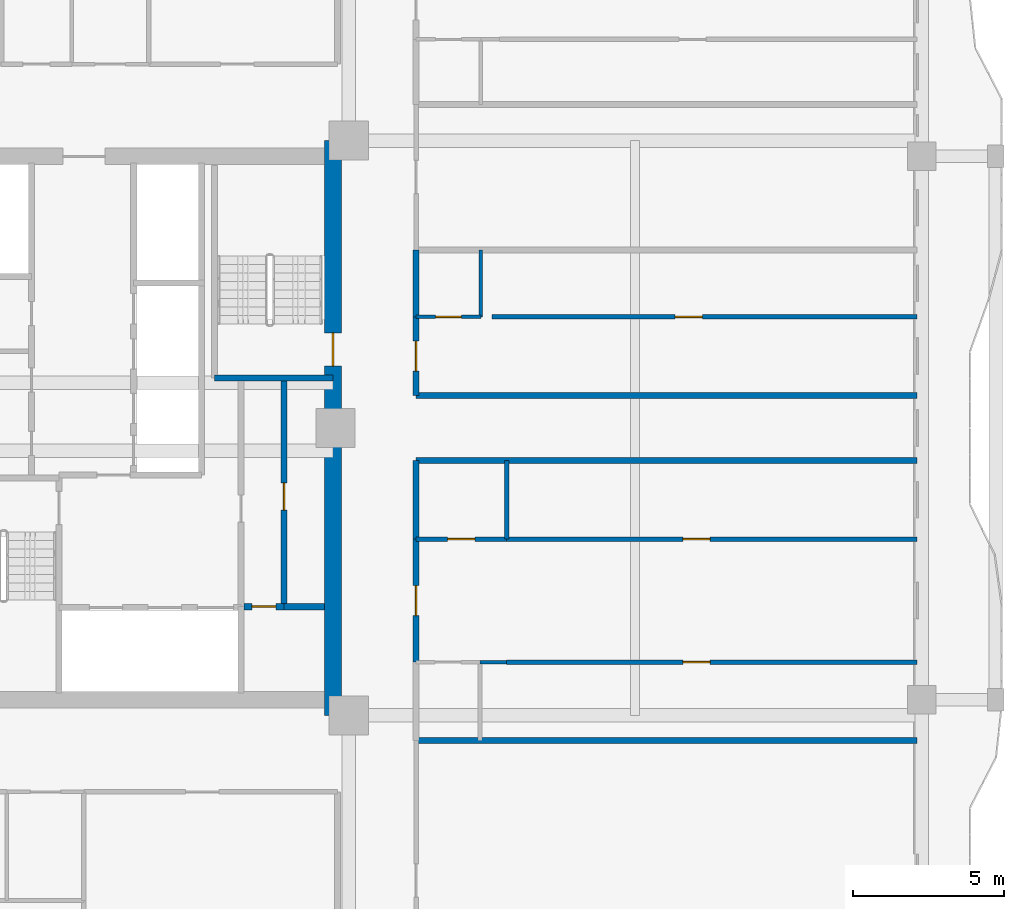
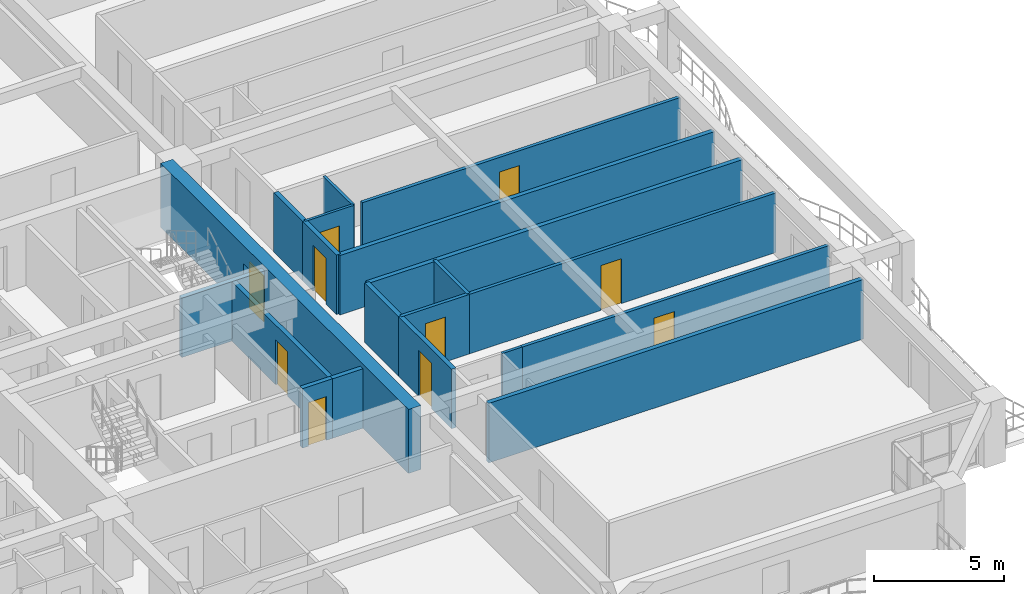
# One storey, part 16 of 24: 20 walls, 10 doors, 10 openings.
"""IFC4 building model written with IfcOpenShell, lengths in metres."""

from ifc_helpers import new_model, si_unit, direction, frame, frame_2d, origin, place, context, subcontext, project, spatial, rectangle, extrude, source, transform, mapped, material, layer, layer_set, type_object, element, fill, save


model = new_model("IFC4")

# Units and contexts
model_context = context("Model", 3, precision=1e-05, world=origin(), true_north=direction((0.0, 1.0)))
body_context = subcontext(model_context, "Body", "Model", "MODEL_VIEW")
ifc_project = project(units=[si_unit("LENGTHUNIT", "METRE"), si_unit("AREAUNIT", "SQUARE_METRE"), si_unit("VOLUMEUNIT", "CUBIC_METRE"), si_unit("PLANEANGLEUNIT", "RADIAN"), si_unit("MASSUNIT", "GRAM", prefix="KILO")], contexts=[model_context])

# Site, building, storey
site_placement = place(None, origin())
site = spatial("IfcSite", under=ifc_project, at=site_placement, CompositionType="ELEMENT")
building_placement = place(site_placement, origin())
building = spatial("IfcBuilding", under=site, at=building_placement, Name="Saelheon Loggia Tower", CompositionType="ELEMENT")
storey_placement = place(building_placement, frame((0.0, 0.0, 126.75)))
storey = spatial("IfcBuildingStorey", under=building, at=storey_placement, Name="L40", CompositionType="ELEMENT", Elevation=126.75)

# Wall, opening, door
ifc_material_1 = material(Name="Concrete C50/60", Category="concrete")
ifc_layer_1 = layer(ifc_material_1, 0.550048828125)
ifc_layer_set_1 = layer_set([ifc_layer_1], Name="Concrete C50/60")
wall_type_1 = type_object("IfcWallType", Name="Wall_CoreShear_550", PredefinedType="SHEAR", material=ifc_layer_set_1)
wall_1_placement = place(storey_placement, frame((44.5, 17.47998046875, 0.0), z_axis=(0.0, 0.0, 1.0), x_axis=(0.0, 1.0, 0.0)))
wall_1 = element("IfcWall", 1, at=wall_1_placement, inside=storey, type_object=wall_type_1, Name="L40 Core Shear Wall East", PredefinedType="SHEAR", context=body_context, shape_type="SweptSolid", body=[
    extrude(rectangle(XDim=19.0400390625, YDim=0.550048828125, at=frame_2d((9.52001953125, 0.0))), origin(), (0.0, 0.0, 1.0), 3.0),
])
opening_1_placement = place(wall_1_placement, frame((12.670166015625, 0.0, 0.0), z_axis=(0.0, 0.0, 1.0), x_axis=(-1.0, 0.0, 0.0)))
opening_1 = element("IfcOpeningElement", 2, at=opening_1_placement, cuts=wall_1, Name="Opening D-FD2", PredefinedType="OPENING", context=body_context, shape_type="SweptSolid", body=[
    extrude(rectangle(XDim=1.10009765625, YDim=2.14990234375, at=frame_2d((0.550048828125, 1.074951171875))), frame((0.0, 0.287109375, 0.0), z_axis=(0.0, -1.0, 0.0), x_axis=(1.0, 0.0, 0.0)), (0.0, 0.0, 1.0), 0.573974609375),
])
ifc_material_2 = material(Name="Galvanised Steel Fire Door", Category="steel")
door_type_1 = type_object("IfcDoorType", Name="Door_Fire_FD60_1100", OperationType="NOTDEFINED", PredefinedType="DOOR", material=ifc_material_2)
shared_shape_1 = source(origin(), body_context, "Body", "SweptSolid", [
    extrude(rectangle(XDim=1.10009765625, YDim=2.14990234375, at=frame_2d((0.550048828125, 1.074951171875))), frame((0.0, 0.02490234375, 0.0), z_axis=(0.0, -1.0, 0.0), x_axis=(1.0, 0.0, 0.0)), (0.0, 0.0, 1.0), 0.050048828125),
])
door_1_placement = place(opening_1_placement, origin())
door_1 = element("IfcDoor", 3, at=door_1_placement, inside=storey, type_object=door_type_1, Name="L40 Stair ST2 Corridor Door", OperationType="SINGLE_SWING_RIGHT", OverallHeight=2.14990234375, OverallWidth=1.10009765625, PredefinedType="DOOR", context=body_context, shape_type="MappedRepresentation", body=[
    mapped(shared_shape_1, transform((0.0, 0.0, 0.0), scale=1.0)),
])
fill(opening_1, door_1)

# Wall
ifc_material_3 = material(Name="Lightweight Autoclaved Aerated Concrete Block and Acoustic Gypsum", Category="concrete")
ifc_layer_2 = layer(ifc_material_3, 0.14990234375)
ifc_layer_set_2 = layer_set([ifc_layer_2], Name="Lightweight Autoclaved Aerated Concrete Block and Acoustic Gypsum")
wall_type_2 = type_object("IfcWallType", Name="Wall_Part_150", PredefinedType="PARTITIONING", material=ifc_layer_set_2)
wall_2_placement = place(storey_placement, frame((50.25, 23.320068359375, 0.0), z_axis=(0.0, 0.0, 1.0), x_axis=(0.0, 1.0, 0.0)))
element("IfcWall", 4, at=wall_2_placement, inside=storey, type_object=wall_type_2, Name="L40 ES Partition V09", PredefinedType="PARTITIONING", context=body_context, shape_type="SweptSolid", body=[
    extrude(rectangle(XDim=2.599853515625, YDim=0.14990234375, at=frame_2d((1.2998046875, 0.0))), origin(), (0.0, 0.0, 1.0), 2.7900390625),
])

# Wall, opening, door
wall_3_placement = place(storey_placement, frame((50.25, 19.24560546875, 0.0), z_axis=(0.0, 0.0, 1.0), x_axis=(1.0, 0.0, 0.0)))
wall_3 = element("IfcWall", 5, at=wall_3_placement, inside=storey, type_object=wall_type_2, Name="L40 ES Partition U12", PredefinedType="PARTITIONING", context=body_context, shape_type="SweptSolid", body=[
    extrude(rectangle(XDim=13.60009765625, YDim=0.14990234375, at=frame_2d((6.800048828125, 0.0))), origin(), (0.0, 0.0, 1.0), 2.7900390625),
])
opening_2_placement = place(wall_3_placement, frame((5.8408203125, 0.0, 0.0)))
opening_2 = element("IfcOpeningElement", 6, at=opening_2_placement, cuts=wall_3, Name="Opening D-IN2", PredefinedType="OPENING", context=body_context, shape_type="SweptSolid", body=[
    extrude(rectangle(XDim=0.89990234375, YDim=2.10009765625, at=frame_2d((0.449951171875, 1.050048828125))), frame((0.0, 0.0869140625, 0.0), z_axis=(0.0, -1.0, 0.0), x_axis=(1.0, 0.0, 0.0)), (0.0, 0.0, 1.0), 0.173828125),
])
ifc_material_4 = material(Name="Engineered Oak Flush Door", Category="timber")
door_type_2 = type_object("IfcDoorType", Name="Door_Int_900", OperationType="NOTDEFINED", PredefinedType="DOOR", material=ifc_material_4)
shared_shape_2 = source(origin(), body_context, "Body", "SweptSolid", [
    extrude(rectangle(XDim=0.89990234375, YDim=2.10009765625, at=frame_2d((0.449951171875, 1.050048828125))), frame((0.0, 0.02490234375, 0.0), z_axis=(0.0, -1.0, 0.0), x_axis=(1.0, 0.0, 0.0)), (0.0, 0.0, 1.0), 0.050048828125),
])
door_2_placement = place(opening_2_placement, origin())
door_2 = element("IfcDoor", 7, at=door_2_placement, inside=storey, type_object=door_type_2, Name="Unit U07 Kitchen Door", OperationType="SINGLE_SWING_RIGHT", OverallHeight=2.10009765625, OverallWidth=0.89990234375, PredefinedType="DOOR", context=body_context, shape_type="MappedRepresentation", body=[
    mapped(shared_shape_2, transform((0.0, 0.0, 0.0), scale=1.0)),
])
fill(opening_2, door_2)

wall_4_placement = place(storey_placement, frame((47.25, 23.320068359375, 0.0), z_axis=(0.0, 0.0, 1.0), x_axis=(1.0, 0.0, 0.0)))
wall_4 = element("IfcWall", 8, at=wall_4_placement, inside=storey, type_object=wall_type_2, Name="L40 ES Partition U13", PredefinedType="PARTITIONING", context=body_context, shape_type="SweptSolid", body=[
    extrude(rectangle(XDim=3.0, YDim=0.14990234375, at=frame_2d((1.5, 0.0))), origin(), (0.0, 0.0, 1.0), 2.7900390625),
])
opening_3_placement = place(wall_4_placement, frame((1.050048828125, 0.0, 0.0)))
opening_3 = element("IfcOpeningElement", 9, at=opening_3_placement, cuts=wall_4, Name="Opening D-IN2", PredefinedType="OPENING", context=body_context, shape_type="SweptSolid", body=[
    extrude(rectangle(XDim=0.89990234375, YDim=2.10009765625, at=frame_2d((0.449951171875, 1.050048828125))), frame((0.0, 0.0869140625, 0.0), z_axis=(0.0, -1.0, 0.0), x_axis=(1.0, 0.0, 0.0)), (0.0, 0.0, 1.0), 0.173828125),
])
door_3_placement = place(opening_3_placement, origin())
door_3 = element("IfcDoor", 10, at=door_3_placement, inside=storey, type_object=door_type_2, Name="Unit U07 Dressing Closet Door", OperationType="SINGLE_SWING_LEFT", OverallHeight=2.10009765625, OverallWidth=0.89990234375, PredefinedType="DOOR", context=body_context, shape_type="MappedRepresentation", body=[
    mapped(shared_shape_2, transform((0.0, 0.0, 0.0), scale=1.0)),
])
fill(opening_3, door_3)

wall_5_placement = place(storey_placement, frame((50.25, 23.320068359375, 0.0), z_axis=(0.0, 0.0, 1.0), x_axis=(1.0, 0.0, 0.0)))
wall_5 = element("IfcWall", 11, at=wall_5_placement, inside=storey, type_object=wall_type_2, Name="L40 ES Partition U14", PredefinedType="PARTITIONING", context=body_context, shape_type="SweptSolid", body=[
    extrude(rectangle(XDim=13.60009765625, YDim=0.14990234375, at=frame_2d((6.800048828125, 0.0))), origin(), (0.0, 0.0, 1.0), 2.7900390625),
])
opening_4_placement = place(wall_5_placement, frame((5.8408203125, 0.0, 0.0)))
opening_4 = element("IfcOpeningElement", 12, at=opening_4_placement, cuts=wall_5, Name="Opening D-IN2", PredefinedType="OPENING", context=body_context, shape_type="SweptSolid", body=[
    extrude(rectangle(XDim=0.89990234375, YDim=2.10009765625, at=frame_2d((0.449951171875, 1.050048828125))), frame((0.0, 0.0869140625, 0.0), z_axis=(0.0, -1.0, 0.0), x_axis=(1.0, 0.0, 0.0)), (0.0, 0.0, 1.0), 0.173828125),
])
door_4_placement = place(opening_4_placement, origin())
door_4 = element("IfcDoor", 13, at=door_4_placement, inside=storey, type_object=door_type_2, Name="Unit U07 Bedroom 1 Door", OperationType="SINGLE_SWING_RIGHT", OverallHeight=2.10009765625, OverallWidth=0.89990234375, PredefinedType="DOOR", context=body_context, shape_type="MappedRepresentation", body=[
    mapped(shared_shape_2, transform((0.0, 0.0, 0.0), scale=1.0)),
])
fill(opening_4, door_4)

wall_6_placement = place(storey_placement, frame((49.77001953125, 30.68310546875, 0.0), z_axis=(0.0, 0.0, 1.0), x_axis=(1.0, 0.0, 0.0)))
wall_6 = element("IfcWall", 14, at=wall_6_placement, inside=storey, type_object=wall_type_2, Name="L40 EN Partition U07", PredefinedType="PARTITIONING", context=body_context, shape_type="SweptSolid", body=[
    extrude(rectangle(XDim=14.080078125, YDim=0.14990234375, at=frame_2d((7.0400390625, 0.0))), origin(), (0.0, 0.0, 1.0), 2.7900390625),
])
opening_5_placement = place(wall_6_placement, frame((6.060791015625, 0.0, 0.0)))
opening_5 = element("IfcOpeningElement", 15, at=opening_5_placement, cuts=wall_6, Name="Opening D-IN2", PredefinedType="OPENING", context=body_context, shape_type="SweptSolid", body=[
    extrude(rectangle(XDim=0.89990234375, YDim=2.10009765625, at=frame_2d((0.449951171875, 1.050048828125))), frame((0.0, 0.0869140625, 0.0), z_axis=(0.0, -1.0, 0.0), x_axis=(1.0, 0.0, 0.0)), (0.0, 0.0, 1.0), 0.173828125),
])
door_5_placement = place(opening_5_placement, origin())
door_5 = element("IfcDoor", 16, at=door_5_placement, inside=storey, type_object=door_type_2, Name="Unit U08 Kitchen Door", OperationType="SINGLE_SWING_LEFT", OverallHeight=2.10009765625, OverallWidth=0.89990234375, PredefinedType="DOOR", context=body_context, shape_type="MappedRepresentation", body=[
    mapped(shared_shape_2, transform((0.0, 0.0, 0.0), scale=1.0)),
])
fill(opening_5, door_5)

# Walls
ifc_material_5 = material(Name="Double Acoustic Stud and Fireboard Partition", Category="gypsum")
ifc_layer_3 = layer(ifc_material_5, 0.199951171875)
ifc_layer_set_3 = layer_set([ifc_layer_3], Name="Double Acoustic Stud and Fireboard Partition")
wall_type_3 = type_object("IfcWallType", Name="Wall_Party_200", PredefinedType="PARTITIONING", material=ifc_layer_set_3)
for number, where, z_axis, x_axis, name in (
    (17, (47.25, 25.919921875, 0.0), (0.0, 0.0, 1.0), (1.0, 0.0, 0.0), "L40 ES Partition U02"),
    (18, (47.25, 16.64990234375, 0.0), (0.0, 0.0, 1.0), (1.0, 0.0, 0.0), "L40 ES Partition U04"),
):
    element("IfcWall", number, at=place(storey_placement, frame(where, z_axis=z_axis, x_axis=x_axis)), inside=storey, type_object=wall_type_3, Name=name, PredefinedType="PARTITIONING", context=body_context, shape_type="SweptSolid", body=[
        extrude(rectangle(XDim=16.60009765625, YDim=0.199951171875, at=frame_2d((8.300048828125, 0.0))), origin(), (0.0, 0.0, 1.0), 2.7900390625),
    ])

# Wall, opening, door
wall_7_placement = place(storey_placement, frame((47.25, 19.24560546875, 0.0), z_axis=(0.0, 0.0, 1.0), x_axis=(0.0, 1.0, 0.0)))
wall_7 = element("IfcWall", 19, at=wall_7_placement, inside=storey, type_object=wall_type_3, Name="L40 ES Partition V06", PredefinedType="PARTITIONING", context=body_context, shape_type="SweptSolid", body=[
    extrude(rectangle(XDim=4.074462890625, YDim=0.199951171875, at=frame_2d((2.037109375, 0.0))), origin(), (0.0, 0.0, 1.0), 2.7900390625),
])
opening_6_placement = place(wall_7_placement, frame((1.537109375, 0.0, 0.0)))
opening_6 = element("IfcOpeningElement", 20, at=opening_6_placement, cuts=wall_7, Name="Opening D-FD1", PredefinedType="OPENING", context=body_context, shape_type="SweptSolid", body=[
    extrude(rectangle(XDim=1.0, YDim=2.14990234375, at=frame_2d((0.5, 1.074951171875))), frame((0.0, 0.112060546875, 0.0), z_axis=(0.0, -1.0, 0.0), x_axis=(1.0, 0.0, 0.0)), (0.0, 0.0, 1.0), 0.223876953125),
])
ifc_material_6 = material(Name="Fire-Rated Engineered Timber Entrance Door", Category="wood")
door_type_3 = type_object("IfcDoorType", Name="Door_Flat_FD30S", OperationType="NOTDEFINED", PredefinedType="DOOR", material=ifc_material_6)
shared_shape_3 = source(origin(), body_context, "Body", "SweptSolid", [
    extrude(rectangle(XDim=1.0, YDim=2.14990234375, at=frame_2d((0.5, 1.074951171875))), frame((0.0, 0.02490234375, 0.0), z_axis=(0.0, -1.0, 0.0), x_axis=(1.0, 0.0, 0.0)), (0.0, 0.0, 1.0), 0.050048828125),
])
door_6_placement = place(opening_6_placement, origin())
door_6 = element("IfcDoor", 21, at=door_6_placement, inside=storey, type_object=door_type_3, Name="Unit U07 Entrance Door", OperationType="SINGLE_SWING_RIGHT", OverallHeight=2.14990234375, OverallWidth=1.0, PredefinedType="DOOR", context=body_context, shape_type="MappedRepresentation", body=[
    mapped(shared_shape_3, transform((0.0, 0.0, 0.0), scale=1.0)),
])
fill(opening_6, door_6)

# Walls
wall_8_placement = place(storey_placement, frame((47.25, 23.320068359375, 0.0), z_axis=(0.0, 0.0, 1.0), x_axis=(0.0, 1.0, 0.0)))
element("IfcWall", 22, at=wall_8_placement, inside=storey, type_object=wall_type_3, Name="L40 ES Partition V07", PredefinedType="PARTITIONING", context=body_context, shape_type="SweptSolid", body=[
    extrude(rectangle(XDim=2.599853515625, YDim=0.199951171875, at=frame_2d((1.2998046875, 0.0))), origin(), (0.0, 0.0, 1.0), 2.7900390625),
])
wall_9_placement = place(storey_placement, frame((47.25, 28.080078125, 0.0), z_axis=(0.0, 0.0, 1.0), x_axis=(1.0, 0.0, 0.0)))
element("IfcWall", 23, at=wall_9_placement, inside=storey, type_object=wall_type_3, Name="L40 EN Partition U01", PredefinedType="PARTITIONING", context=body_context, shape_type="SweptSolid", body=[
    extrude(rectangle(XDim=16.60009765625, YDim=0.199951171875, at=frame_2d((8.300048828125, 0.0))), origin(), (0.0, 0.0, 1.0), 2.7900390625),
])

# Wall, opening, door
wall_10_placement = place(storey_placement, frame((47.25, 28.080078125, 0.0), z_axis=(0.0, 0.0, 1.0), x_axis=(0.0, 1.0, 0.0)))
wall_10 = element("IfcWall", 24, at=wall_10_placement, inside=storey, type_object=wall_type_3, Name="L40 EN Partition V03", PredefinedType="PARTITIONING", context=body_context, shape_type="SweptSolid", body=[
    extrude(rectangle(XDim=2.60302734375, YDim=0.199951171875, at=frame_2d((1.301513671875, 0.0))), origin(), (0.0, 0.0, 1.0), 2.7900390625),
])
opening_7_placement = place(wall_10_placement, frame((0.801513671875, 0.0, 0.0)))
opening_7 = element("IfcOpeningElement", 25, at=opening_7_placement, cuts=wall_10, Name="Opening D-FD1", PredefinedType="OPENING", context=body_context, shape_type="SweptSolid", body=[
    extrude(rectangle(XDim=1.0, YDim=2.14990234375, at=frame_2d((0.5, 1.074951171875))), frame((0.0, 0.112060546875, 0.0), z_axis=(0.0, -1.0, 0.0), x_axis=(1.0, 0.0, 0.0)), (0.0, 0.0, 1.0), 0.223876953125),
])
door_7_placement = place(opening_7_placement, origin())
door_7 = element("IfcDoor", 26, at=door_7_placement, inside=storey, type_object=door_type_3, Name="Unit U08 Entrance Door", OperationType="SINGLE_SWING_LEFT", OverallHeight=2.14990234375, OverallWidth=1.0, PredefinedType="DOOR", context=body_context, shape_type="MappedRepresentation", body=[
    mapped(shared_shape_3, transform((0.0, 0.0, 0.0), scale=1.0)),
])
fill(opening_7, door_7)

# Wall
wall_11_placement = place(storey_placement, frame((47.25, 30.68310546875, 0.0), z_axis=(0.0, 0.0, 1.0), x_axis=(0.0, 1.0, 0.0)))
element("IfcWall", 27, at=wall_11_placement, inside=storey, type_object=wall_type_3, Name="L40 EN Partition V04", PredefinedType="PARTITIONING", context=body_context, shape_type="SweptSolid", body=[
    extrude(rectangle(XDim=2.21728515625, YDim=0.199951171875, at=frame_2d((1.108642578125, 0.0))), origin(), (0.0, 0.0, 1.0), 2.7900390625),
])

# Wall, opening, door
ifc_material_7 = material(Name="Concrete C40/50", Category="concrete")
ifc_layer_4 = layer(ifc_material_7, 0.199951171875)
ifc_layer_set_4 = layer_set([ifc_layer_4], Name="Concrete C40/50")
wall_type_4 = type_object("IfcWallType", Name="Wall_Shaft_200", PredefinedType="PARTITIONING", material=ifc_layer_set_4)
wall_12_placement = place(storey_placement, frame((41.550048828125, 21.080078125, 0.0), z_axis=(0.0, 0.0, 1.0), x_axis=(1.0, 0.0, 0.0)))
wall_12 = element("IfcWall", 28, at=wall_12_placement, inside=storey, type_object=wall_type_4, Name="CW-BOH-L40-HS", PredefinedType="PARTITIONING", context=body_context, shape_type="SweptSolid", body=[
    extrude(rectangle(XDim=1.329833984375, YDim=0.199951171875, at=frame_2d((0.6650390625, 0.0))), origin(), (0.0, 0.0, 1.0), 2.7900390625),
])
opening_8_placement = place(wall_12_placement, frame((0.260009765625, 0.0, 0.0)))
opening_8 = element("IfcOpeningElement", 29, at=opening_8_placement, cuts=wall_12, Name="Opening D-ST1", PredefinedType="OPENING", context=body_context, shape_type="SweptSolid", body=[
    extrude(rectangle(XDim=0.800048828125, YDim=2.050048828125, at=frame_2d((0.39990234375, 1.02490234375))), frame((0.0, 0.112060546875, 0.0), z_axis=(0.0, -1.0, 0.0), x_axis=(1.0, 0.0, 0.0)), (0.0, 0.0, 1.0), 0.223876953125),
])
ifc_material_8 = material(Name="Powder-Coated Steel Store Door", Category="steel")
door_type_4 = type_object("IfcDoorType", Name="Door_Store_800", OperationType="NOTDEFINED", PredefinedType="DOOR", material=ifc_material_8)
shared_shape_4 = source(origin(), body_context, "Body", "SweptSolid", [
    extrude(rectangle(XDim=0.800048828125, YDim=2.050048828125, at=frame_2d((0.39990234375, 1.02490234375))), frame((0.0, 0.02490234375, 0.0), z_axis=(0.0, -1.0, 0.0), x_axis=(1.0, 0.0, 0.0)), (0.0, 0.0, 1.0), 0.050048828125),
])
door_8_placement = place(opening_8_placement, origin())
door_8 = element("IfcDoor", 30, at=door_8_placement, inside=storey, type_object=door_type_4, Name="L40 Electrical Riser Door", OperationType="SINGLE_SWING_RIGHT", OverallHeight=2.050048828125, OverallWidth=0.800048828125, PredefinedType="DOOR", context=body_context, shape_type="MappedRepresentation", body=[
    mapped(shared_shape_4, transform((0.0, 0.0, 0.0), scale=1.0)),
])
fill(opening_8, door_8)

# Wall
wall_13_placement = place(storey_placement, frame((42.8798828125, 21.080078125, 0.0), z_axis=(0.0, 0.0, 1.0), x_axis=(1.0, 0.0, 0.0)))
element("IfcWall", 31, at=wall_13_placement, inside=storey, type_object=wall_type_4, Name="CW-BOH-L40-HS2", PredefinedType="PARTITIONING", context=body_context, shape_type="SweptSolid", body=[
    extrude(rectangle(XDim=1.340087890625, YDim=0.199951171875, at=frame_2d((0.669921875, 0.0))), origin(), (0.0, 0.0, 1.0), 2.7900390625),
])

# Wall, opening, door
wall_14_placement = place(storey_placement, frame((42.8798828125, 21.080078125, 0.0), z_axis=(0.0, 0.0, 1.0), x_axis=(0.0, 1.0, 0.0)))
wall_14 = element("IfcWall", 32, at=wall_14_placement, inside=storey, type_object=wall_type_4, Name="CW-BOH-L40-VS", PredefinedType="PARTITIONING", context=body_context, shape_type="SweptSolid", body=[
    extrude(rectangle(XDim=7.469970703125, YDim=0.199951171875, at=frame_2d((3.73486328125, 0.0))), origin(), (0.0, 0.0, 1.0), 2.7900390625),
])
opening_9_placement = place(wall_14_placement, frame((3.199951171875, 0.0, 0.0)))
opening_9 = element("IfcOpeningElement", 33, at=opening_9_placement, cuts=wall_14, Name="Opening D-RS1", PredefinedType="OPENING", context=body_context, shape_type="SweptSolid", body=[
    extrude(rectangle(XDim=0.89990234375, YDim=2.10009765625, at=frame_2d((0.449951171875, 1.050048828125))), frame((0.0, 0.112060546875, 0.0), z_axis=(0.0, -1.0, 0.0), x_axis=(1.0, 0.0, 0.0)), (0.0, 0.0, 1.0), 0.223876953125),
])
ifc_material_9 = material(Name="Galvanised Steel Riser Access Door", Category="steel")
door_type_5 = type_object("IfcDoorType", Name="Door_Riser_FD60", OperationType="NOTDEFINED", PredefinedType="DOOR", material=ifc_material_9)
door_9_placement = place(opening_9_placement, origin())
door_9 = element("IfcDoor", 34, at=door_9_placement, inside=storey, type_object=door_type_5, Name="L40 Linen Store Door", OperationType="SINGLE_SWING_LEFT", OverallHeight=2.10009765625, OverallWidth=0.89990234375, PredefinedType="DOOR", context=body_context, shape_type="MappedRepresentation", body=[
    mapped(shared_shape_2, transform((0.0, 0.0, 0.0), scale=1.0)),
])
fill(opening_9, door_9)

# Walls
ifc_material_10 = material(Name="Concrete C45/55", Category="concrete")
ifc_layer_5 = layer(ifc_material_10, 0.199951171875)
ifc_layer_set_5 = layer_set([ifc_layer_5], Name="Concrete C45/55")
wall_type_5 = type_object("IfcWallType", Name="Wall_StairShaft_RC200", PredefinedType="SOLIDWALL", material=ifc_layer_set_5)
wall_15_placement = place(storey_placement, frame((40.570068359375, 28.64990234375, 0.0), z_axis=(0.0, 0.0, 1.0), x_axis=(1.0, 0.0, 0.0)))
element("IfcWall", 35, at=wall_15_placement, inside=storey, type_object=wall_type_5, Name="L40 Stair ST2 South Wall", PredefinedType="SOLIDWALL", context=body_context, shape_type="SweptSolid", body=[
    extrude(rectangle(XDim=3.929931640625, YDim=0.199951171875, at=frame_2d((1.96484375, 0.0))), origin(), (0.0, 0.0, 1.0), 2.7900390625),
])
ifc_material_11 = material(Name="Moisture-Resistant Cement Board Partition", Category="gypsum")
ifc_layer_6 = layer(ifc_material_11, 0.1201171875)
ifc_layer_set_6 = layer_set([ifc_layer_6], Name="Moisture-Resistant Cement Board Partition")
wall_type_6 = type_object("IfcWallType", Name="Wall_WetPart_120", PredefinedType="PARTITIONING", material=ifc_layer_set_6)
wall_16_placement = place(storey_placement, frame((49.3701171875, 19.24560546875, 0.0), z_axis=(0.0, 0.0, 1.0), x_axis=(1.0, 0.0, 0.0)))
element("IfcWall", 36, at=wall_16_placement, inside=storey, type_object=wall_type_6, Name="L40 ES Partition U11", PredefinedType="PARTITIONING", context=body_context, shape_type="SweptSolid", body=[
    extrude(rectangle(XDim=0.8798828125, YDim=0.1201171875, at=frame_2d((0.43994140625, 0.0))), origin(), (0.0, 0.0, 1.0), 2.7900390625),
])

# Wall, opening, door
wall_17_placement = place(storey_placement, frame((47.25, 30.68310546875, 0.0), z_axis=(0.0, 0.0, 1.0), x_axis=(1.0, 0.0, 0.0)))
wall_17 = element("IfcWall", 37, at=wall_17_placement, inside=storey, type_object=wall_type_6, Name="L40 EN Partition U05", PredefinedType="PARTITIONING", context=body_context, shape_type="SweptSolid", body=[
    extrude(rectangle(XDim=2.14990234375, YDim=0.1201171875, at=frame_2d((1.074951171875, 0.0))), origin(), (0.0, 0.0, 1.0), 2.7900390625),
])
opening_10_placement = place(wall_17_placement, frame((0.64990234375, 0.0, 0.0)))
opening_10 = element("IfcOpeningElement", 38, at=opening_10_placement, cuts=wall_17, Name="Opening D-BT1", PredefinedType="OPENING", context=body_context, shape_type="SweptSolid", body=[
    extrude(rectangle(XDim=0.85009765625, YDim=2.050048828125, at=frame_2d((0.425048828125, 1.02490234375))), frame((0.0, 0.072021484375, 0.0), z_axis=(0.0, -1.0, 0.0), x_axis=(1.0, 0.0, 0.0)), (0.0, 0.0, 1.0), 0.14404296875),
])
ifc_material_12 = material(Name="Moisture-Resistant Laminate Timber Door", Category="wood")
door_type_6 = type_object("IfcDoorType", Name="Door_Bath_850", OperationType="NOTDEFINED", PredefinedType="DOOR", material=ifc_material_12)
shared_shape_5 = source(origin(), body_context, "Body", "SweptSolid", [
    extrude(rectangle(XDim=0.85009765625, YDim=2.050048828125, at=frame_2d((0.425048828125, 1.02490234375))), frame((0.0, 0.02490234375, 0.0), z_axis=(0.0, -1.0, 0.0), x_axis=(1.0, 0.0, 0.0)), (0.0, 0.0, 1.0), 0.050048828125),
])
door_10_placement = place(opening_10_placement, origin())
door_10 = element("IfcDoor", 39, at=door_10_placement, inside=storey, type_object=door_type_6, Name="Unit U08 Bathroom Door", OperationType="SINGLE_SWING_RIGHT", OverallHeight=2.050048828125, OverallWidth=0.85009765625, PredefinedType="DOOR", context=body_context, shape_type="MappedRepresentation", body=[
    mapped(shared_shape_5, transform((0.0, 0.0, 0.0), scale=1.0)),
])
fill(opening_10, door_10)

# Wall
wall_18_placement = place(storey_placement, frame((49.39990234375, 30.68310546875, 0.0), z_axis=(0.0, 0.0, 1.0), x_axis=(0.0, 1.0, 0.0)))
element("IfcWall", 40, at=wall_18_placement, inside=storey, type_object=wall_type_6, Name="L40 EN Partition V06", PredefinedType="PARTITIONING", context=body_context, shape_type="SweptSolid", body=[
    extrude(rectangle(XDim=2.21728515625, YDim=0.1201171875, at=frame_2d((1.108642578125, 0.0))), origin(), (0.0, 0.0, 1.0), 2.7900390625),
])

save(model, "model.ifc")
